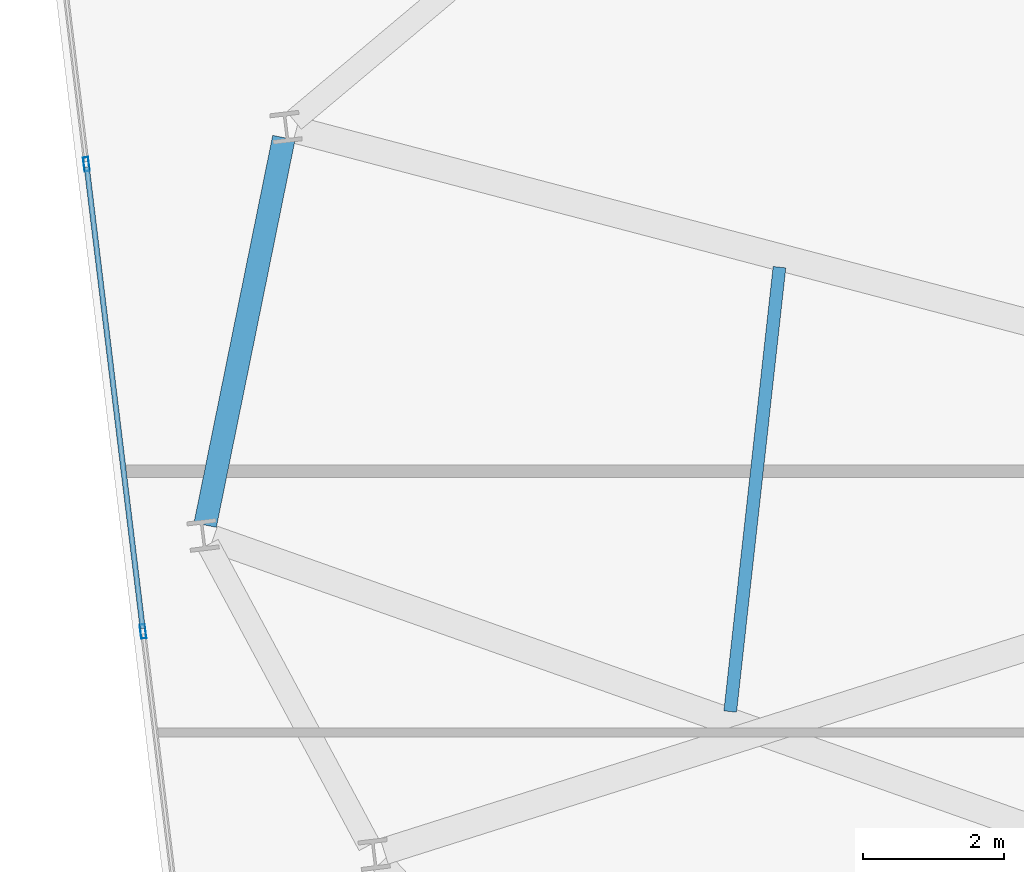
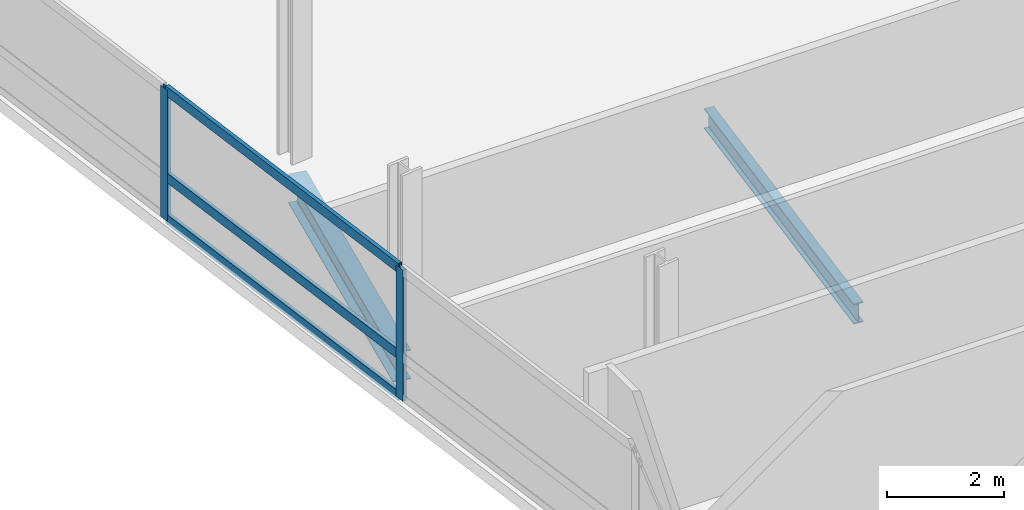
# One storey, part 6 of 23: 5 members, 2 beams, 1 element without a shape of its own.
"""IFC4 building model written with IfcOpenShell, lengths in metres."""

from ifc_helpers import new_model, si_unit, direction, frame, origin, origin_2d, place, context, subcontext, project, spatial, hollow_rectangle, i_section, extrude, material, layer, layer_set, material_profile, profile_set, type_object, element, aggregate, save


model = new_model("IFC4")

# Units and contexts
model_context = context("Model", 3, precision=1e-05, world=origin(), true_north=direction((0.0, 1.0)))
body_context = subcontext(model_context, "Body", "Model", "MODEL_VIEW")
ifc_project = project(units=[si_unit("LENGTHUNIT", "METRE"), si_unit("AREAUNIT", "SQUARE_METRE"), si_unit("VOLUMEUNIT", "CUBIC_METRE"), si_unit("PLANEANGLEUNIT", "RADIAN"), si_unit("MASSUNIT", "GRAM", prefix="KILO")], contexts=[model_context])

# Site, building, storey
site_placement = place(None, origin())
site = spatial("IfcSite", under=ifc_project, at=site_placement, CompositionType="ELEMENT")
building_placement = place(site_placement, origin())
building = spatial("IfcBuilding", under=site, at=building_placement, Name="Varnelok Gate Tower", CompositionType="ELEMENT")
storey_placement = place(building_placement, frame((0.0, 0.0, 182.0)))
storey = spatial("IfcBuildingStorey", under=building, at=storey_placement, Name="L46", CompositionType="ELEMENT", Elevation=182.0)

# Beams
ifc_material_1 = material(Name="Structural Steel ASTM A992 Grade 50", Category="steel")
ifc_material_profile_1 = material_profile(ifc_material_1, i_section(OverallWidth=0.180908203125, OverallDepth=0.4169921875, WebThickness=0.010986328125, FlangeThickness=0.018310546875, FilletRadius=0.013916015625, at=origin_2d()), Name="W16X57")
ifc_profile_set_1 = profile_set([ifc_material_profile_1], Name="Structural Steel ASTM A992 Grade 50")
beam_type_1 = type_object("IfcBeamType", Name="BM-JST-W16X57", PredefinedType="JOIST", material=ifc_profile_set_1)
beam_1_placement = place(storey_placement, frame((12.928955078125, 29.554443359375, -0.45849609375), z_axis=(-0.110165546405, -0.993913251942, 0.0), x_axis=(0.993913251942, -0.110165546405, 0.0)))
element("IfcBeam", 1, at=beam_1_placement, inside=storey, type_object=beam_type_1, Name="L46 Sector Floor Joist 11", PredefinedType="JOIST", context=body_context, shape_type="SweptSolid", body=[
    extrude(i_section(OverallWidth=0.180908203125, OverallDepth=0.4169921875, WebThickness=0.010986328125, FlangeThickness=0.018310546875, FilletRadius=0.013916015625, at=origin_2d()), origin(), (0.0, 0.0, 1.0), 6.346923828125),
])
ifc_material_profile_2 = material_profile(ifc_material_1, i_section(OverallWidth=0.323974609375, OverallDepth=0.611083984375, WebThickness=0.0126953125, FlangeThickness=0.01904296875, FilletRadius=0.01806640625, at=origin_2d()), Name="W24X104")
ifc_profile_set_2 = profile_set([ifc_material_profile_2], Name="Structural Steel ASTM A992 Grade 50")
beam_type_2 = type_object("IfcBeamType", Name="BM-SPN-W24X104", PredefinedType="SPANDREL", material=ifc_profile_set_2)
beam_2_placement = place(storey_placement, frame((5.893310546875, 31.393798828125, -0.555419921875), z_axis=(-0.199143476404, -0.97997034435, 0.0), x_axis=(0.97997034435, -0.199143476404, 0.0)))
element("IfcBeam", 2, at=beam_2_placement, inside=storey, type_object=beam_type_2, Name="L46 Perimeter Spandrel Beam 14", PredefinedType="SPANDREL", context=body_context, shape_type="SweptSolid", body=[
    extrude(i_section(OverallWidth=0.323974609375, OverallDepth=0.611083984375, WebThickness=0.0126953125, FlangeThickness=0.01904296875, FilletRadius=0.01806640625, at=origin_2d()), origin(), (0.0, 0.0, 1.0), 5.6123046875),
])

# Curtain wall, members
ifc_material_2 = material(Name="Anodized Aluminum Alloy 6063-T6", Category="aluminium")
ifc_layer = layer(ifc_material_2, 0.179931640625)
ifc_layer_set = layer_set([ifc_layer], Name="Anodized Aluminum Alloy 6063-T6")
curtain_wall_type = type_object("IfcCurtainWallType", Name="CW4-RESIDENCE-VISION", PredefinedType="USERDEFINED", material=ifc_layer_set)
curtain_wall_placement = place(storey_placement, origin())
curtain_wall = element("IfcCurtainWall", 3, at=curtain_wall_placement, inside=storey, type_object=curtain_wall_type, Name="L46 West End Vision Curtain Wall", ObjectType="UNITISED CURTAIN WALL", PredefinedType="USERDEFINED")
ifc_material_profile_3 = material_profile(ifc_material_2, hollow_rectangle(XDim=0.074951171875, YDim=0.199951171875, WallThickness=0.00390625, at=origin_2d()), Name="ALU200X75X4")
ifc_profile_set_3 = profile_set([ifc_material_profile_3], Name="Anodized Aluminum Alloy 6063-T6")
member_type_1 = type_object("IfcMemberType", Name="CW-MULL-200", PredefinedType="MULLION", material=ifc_profile_set_3)
member_1_placement = place(storey_placement, frame((3.8935546875, 24.384521484375, 0.0), z_axis=(0.0, 0.0, 1.0), x_axis=(-0.992732188751, -0.120344511371, 0.0)))
member_1 = element("IfcMember", 4, at=member_1_placement, type_object=member_type_1, Name="CW4 mullion 4", PredefinedType="MULLION", context=body_context, shape_type="SweptSolid", body=[
    extrude(hollow_rectangle(XDim=0.074951171875, YDim=0.199951171875, WallThickness=0.00390625, at=origin_2d()), origin(), (0.0, 0.0, 1.0), 2.72998046875),
])
member_2_placement = place(storey_placement, frame((3.089599609375, 31.015869140625, 0.0), z_axis=(0.0, 0.0, 1.0), x_axis=(-0.992732188751, -0.120344511371, 0.0)))
member_2 = element("IfcMember", 5, at=member_2_placement, type_object=member_type_1, Name="CW4 mullion 5", PredefinedType="MULLION", context=body_context, shape_type="SweptSolid", body=[
    extrude(hollow_rectangle(XDim=0.074951171875, YDim=0.199951171875, WallThickness=0.00390625, at=origin_2d()), origin(), (0.0, 0.0, 1.0), 2.72998046875),
])
ifc_material_profile_4 = material_profile(ifc_material_2, hollow_rectangle(XDim=0.074951171875, YDim=0.199951171875, WallThickness=0.00390625, at=origin_2d()), Name="ALU200X75X4")
ifc_profile_set_4 = profile_set([ifc_material_profile_4], Name="Anodized Aluminum Alloy 6063-T6")
member_type_2 = type_object("IfcMemberType", Name="CW-TRAN-200", PredefinedType="USERDEFINED", material=ifc_profile_set_4)
member_3_placement = place(storey_placement, frame((3.88916015625, 24.421630859375, 0.03759765625), z_axis=(-0.120353445289, 0.992731105691, 0.0), x_axis=(-0.992731105691, -0.120353445289, 0.0)))
member_3 = element("IfcMember", 6, at=member_3_placement, type_object=member_type_2, Name="CW4 transom 4.1", ObjectType="TRANSOM", PredefinedType="USERDEFINED", context=body_context, shape_type="SweptSolid", body=[
    extrude(hollow_rectangle(XDim=0.074951171875, YDim=0.199951171875, WallThickness=0.00390625, at=origin_2d()), origin(), (0.0, 0.0, 1.0), 6.60498046875),
])
member_4_placement = place(storey_placement, frame((3.88916015625, 24.421630859375, 0.89990234375), z_axis=(-0.120353445289, 0.992731105691, 0.0), x_axis=(-0.992731105691, -0.120353445289, 0.0)))
member_4 = element("IfcMember", 7, at=member_4_placement, type_object=member_type_2, Name="CW4 transom 4.2", ObjectType="TRANSOM", PredefinedType="USERDEFINED", context=body_context, shape_type="SweptSolid", body=[
    extrude(hollow_rectangle(XDim=0.074951171875, YDim=0.199951171875, WallThickness=0.00390625, at=origin_2d()), origin(), (0.0, 0.0, 1.0), 6.60498046875),
])
member_5_placement = place(storey_placement, frame((3.88916015625, 24.421630859375, 2.6923828125), z_axis=(-0.120353445289, 0.992731105691, 0.0), x_axis=(-0.992731105691, -0.120353445289, 0.0)))
member_5 = element("IfcMember", 8, at=member_5_placement, type_object=member_type_2, Name="CW4 transom 4.3", ObjectType="TRANSOM", PredefinedType="USERDEFINED", context=body_context, shape_type="SweptSolid", body=[
    extrude(hollow_rectangle(XDim=0.074951171875, YDim=0.199951171875, WallThickness=0.00390625, at=origin_2d()), origin(), (0.0, 0.0, 1.0), 6.60498046875),
])
aggregate(curtain_wall, [member_1, member_2, member_3, member_4, member_5])

save(model, "model.ifc")
